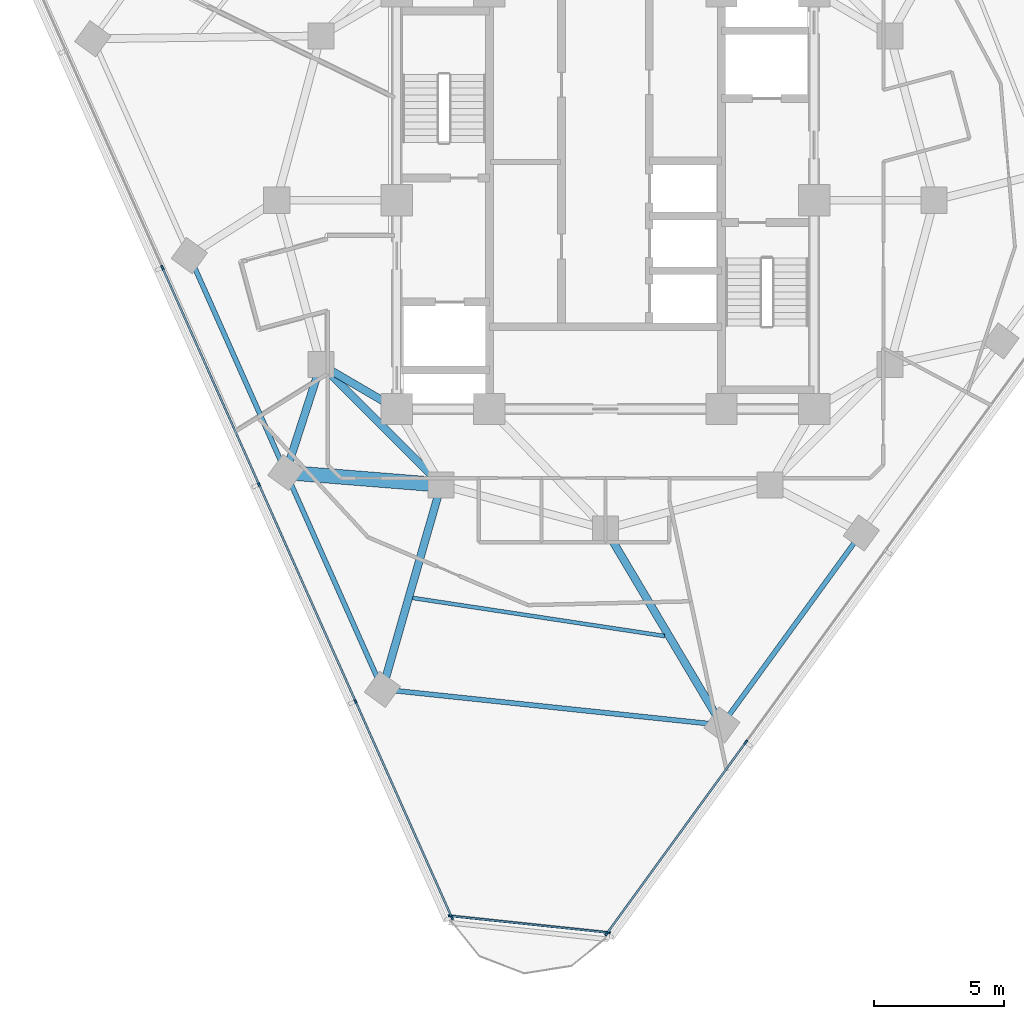
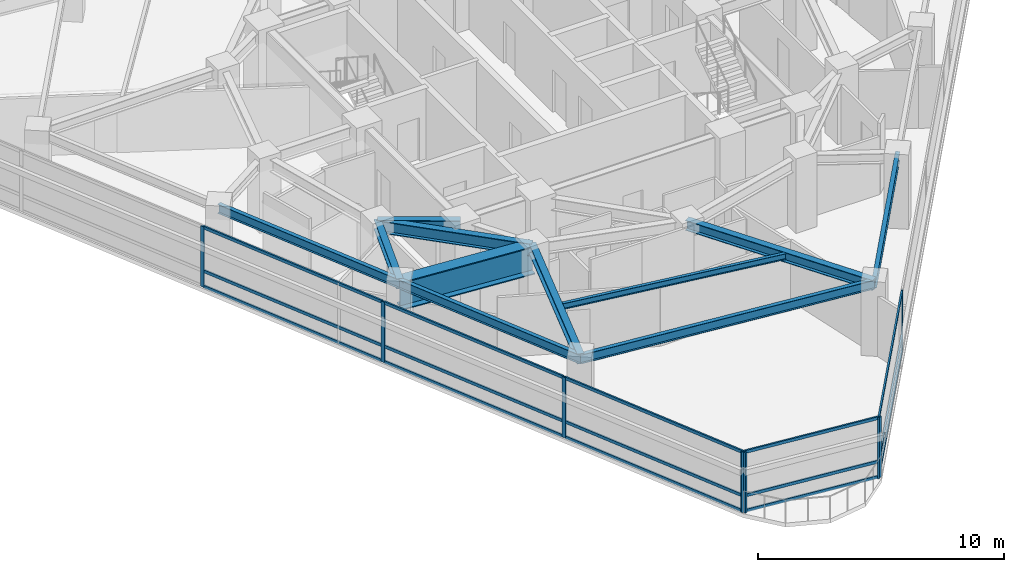
# One storey, part 2 of 14: 23 members, 11 beams, 3 elements without a shape of their own.
"""IFC4 building model written with IfcOpenShell, lengths in metres."""

import ifcopenshell
import ifcopenshell.guid

model = None  # the IFC model being written
_history = None  # IfcOwnerHistory: only IFC2X3 demands one
_inside = {}  # id of a spatial element -> (the spatial element, [elements in it])
_under = {}  # id of a project, library or spatial element -> (it, [spatial elements below it])
_declared = {}  # id of a project -> (the project, [libraries it declares])
_typed = {}  # id of a type object -> (the type object, [elements of that type])
_made_of = {}  # id of a material, layer set ... -> (it, [elements and type objects made of it])


def new_model(schema):
    """Start an empty IFC model of exactly this schema.

    Asked for "IFC4X3", IfcOpenShell would pick the latest addendum, in which some entities
    have other attributes; the version numbers below select the first issue.
    IFC2X3 requires an IfcOwnerHistory on every rooted entity: one is made here for all.
    """
    global model, _history
    if schema == "IFC4X3":
        model = ifcopenshell.file(schema_version=(4, 3, 0, 0))
    else:
        model = ifcopenshell.file(schema=schema)
    _inside.clear()
    _under.clear()
    _declared.clear()
    _typed.clear()
    _made_of.clear()
    _history = None
    if model.schema == "IFC2X3":
        org = make("IfcOrganization", Name="unknown")
        user = make(
            "IfcPersonAndOrganization",
            ThePerson=make("IfcPerson", FamilyName="unknown"),
            TheOrganization=org,
        )
        app = make(
            "IfcApplication",
            ApplicationDeveloper=org,
            Version="unknown",
            ApplicationFullName="unknown",
            ApplicationIdentifier="unknown",
        )
        _history = make(
            "IfcOwnerHistory",
            OwningUser=user,
            OwningApplication=app,
            ChangeAction="ADDED",
            CreationDate=0,
        )
    return model


def make(cls, **values):
    """One entity of the class cls with the attributes given. An attribute that is None is left unset."""
    return model.create_entity(
        cls, **{name: value for name, value in values.items() if value is not None}
    )


def rooted(cls, **values):
    """An entity with a GlobalId (a new one), such as an element, a storey or a relation."""
    return make(cls, GlobalId=ifcopenshell.guid.new(), OwnerHistory=_history, **values)


def si_unit(unit_type, name, prefix=None):
    """IfcSIUnit, for example si_unit("LENGTHUNIT", "METRE", prefix="MILLI")."""
    return make("IfcSIUnit", UnitType=unit_type, Prefix=prefix, Name=name)


def assignment(units):
    """IfcUnitAssignment: the units of a project."""
    return None if units is None else make("IfcUnitAssignment", Units=units)


def point(xyz):
    """IfcCartesianPoint."""
    return None if xyz is None else make("IfcCartesianPoint", Coordinates=xyz)


def direction(xyz):
    """IfcDirection."""
    return None if xyz is None else make("IfcDirection", DirectionRatios=xyz)


def frame(location, z_axis=None, x_axis=None):
    """IfcAxis2Placement3D, a coordinate frame: its origin and axes. An axis left out is left unset."""
    return make(
        "IfcAxis2Placement3D",
        Location=point(location),
        Axis=direction(z_axis),
        RefDirection=direction(x_axis),
    )


def frame_2d(location, x_axis=None):
    """IfcAxis2Placement2D, a coordinate frame in the plane: its origin and x axis."""
    return make(
        "IfcAxis2Placement2D", Location=point(location), RefDirection=direction(x_axis)
    )


def origin():
    """The frame at (0, 0, 0) with its axes left unset."""
    return frame((0.0, 0.0, 0.0))


def origin_2d():
    """The frame at (0, 0) in the plane with its x axis left unset."""
    return frame_2d((0.0, 0.0))


def place(relative_to, where):
    """IfcLocalPlacement: puts the frame where relative to a parent placement (None: the world)."""
    return make(
        "IfcLocalPlacement", PlacementRelTo=relative_to, RelativePlacement=where
    )


def context(
    kind, dimensions, precision=None, world=None, true_north=None, identifier=None
):
    """IfcGeometricRepresentationContext, for example the 3D "Model" context."""
    return make(
        "IfcGeometricRepresentationContext",
        ContextIdentifier=identifier,
        ContextType=kind,
        CoordinateSpaceDimension=dimensions,
        Precision=precision,
        WorldCoordinateSystem=world,
        TrueNorth=true_north,
    )


def subcontext(parent, identifier, kind, view, scale=None):
    """IfcGeometricRepresentationSubContext, for example "Body" below "Model"."""
    return make(
        "IfcGeometricRepresentationSubContext",
        ContextIdentifier=identifier,
        ContextType=kind,
        ParentContext=parent,
        TargetScale=scale,
        TargetView=view,
    )


def project(units=None, contexts=None):
    """IfcProject with its units and contexts."""
    return rooted(
        "IfcProject",
        Name="project",
        RepresentationContexts=contexts,
        UnitsInContext=assignment(units),
    )


def spatial(cls, under=None, at=None, **own):
    """A site, building, storey or space (cls), placed at a placement, below another one or the project."""
    s = rooted(cls, ObjectPlacement=at, **own)
    if under is not None:
        _under.setdefault(under.id(), (under, []))[1].append(s)
    return s


def profile(cls, at=None, kind="AREA", **sizes):
    """A parametric profile (cls). Its sizes go by their IFC names, for example OverallWidth=200.0."""
    return make(cls, ProfileType=kind, Position=at, **sizes)


def rectangle(**sizes):
    """IfcRectangleProfileDef."""
    return profile("IfcRectangleProfileDef", **sizes)


def i_section(**sizes):
    """IfcIShapeProfileDef."""
    return profile("IfcIShapeProfileDef", **sizes)


def extrude(swept, where, along, depth):
    """IfcExtrudedAreaSolid: the profile swept, set in the frame where, extruded along a direction by depth."""
    return make(
        "IfcExtrudedAreaSolid",
        SweptArea=swept,
        Position=where,
        ExtrudedDirection=direction(along),
        Depth=depth,
    )


def shape(context_of_items, identifier, shape_type, items):
    """IfcShapeRepresentation: the items that make up one representation, for example the "Body"."""
    return make(
        "IfcShapeRepresentation",
        ContextOfItems=context_of_items,
        RepresentationIdentifier=identifier,
        RepresentationType=shape_type,
        Items=items,
    )


def material(Name=None, Category=None):
    """IfcMaterial."""
    return make("IfcMaterial", Name=Name, Category=Category)


def layer(
    of_material, thickness, ventilated=None, Name=None, Category=None, Priority=None
):
    """IfcMaterialLayer: one layer of a wall or slab, of a material (None: an air gap)."""
    return make(
        "IfcMaterialLayer",
        Material=of_material,
        LayerThickness=thickness,
        IsVentilated=ventilated,
        Name=Name,
        Category=Category,
        Priority=Priority,
    )


def layer_set(layers, Name=None):
    """IfcMaterialLayerSet."""
    return make("IfcMaterialLayerSet", MaterialLayers=layers, LayerSetName=Name)


def material_profile(
    of_material, cross_section, Name=None, Category=None, Priority=None
):
    """IfcMaterialProfile: a cross section and its material."""
    return make(
        "IfcMaterialProfile",
        Name=Name,
        Material=of_material,
        Profile=cross_section,
        Priority=Priority,
        Category=Category,
    )


def profile_set(profiles, Name=None, composite=None):
    """IfcMaterialProfileSet."""
    return make(
        "IfcMaterialProfileSet",
        Name=Name,
        MaterialProfiles=profiles,
        CompositeProfile=composite,
    )


def made_of(thing, what):
    """Note that an element or type object is made of a material, layer set ...; save() writes the relation."""
    if what is not None:
        _made_of.setdefault(what.id(), (what, []))[1].append(thing)
    return thing


def type_object(cls, material=None, **own):
    """A type object (cls), such as IfcWallType, which elements share."""
    return made_of(rooted(cls, **own), material)


def element(
    cls,
    number,
    at=None,
    inside=None,
    cuts=None,
    type_object=None,
    material=None,
    context=None,
    identifier="Body",
    shape_type=None,
    held_by="IfcProductDefinitionShape",
    body=None,
    shapes=None,
    **own,
):
    """One element of the class cls, such as IfcWall. Its Tag is "e" and its number.

    at: its placement. inside: the storey or other place that contains it. cuts: it is an
    opening in that element (IfcRelVoidsElement). A single representation is given by context,
    identifier, shape_type and body (its items); several are given by shapes. held_by: the class
    of the entity that holds the representations. save() writes the other relations.
    """
    e = rooted(cls, Tag="e%d" % number, ObjectPlacement=at, **own)
    if body is not None:
        shapes = [shape(context, identifier, shape_type, body)]
    if shapes is not None:
        e.Representation = make(held_by, Representations=shapes)
    if inside is not None:
        _inside.setdefault(inside.id(), (inside, []))[1].append(e)
    if cuts is not None:
        rooted(
            "IfcRelVoidsElement", RelatingBuildingElement=cuts, RelatedOpeningElement=e
        )
    if type_object is not None:
        _typed.setdefault(type_object.id(), (type_object, []))[1].append(e)
    return made_of(e, material)


def aggregate(whole, parts):
    """IfcRelAggregates: a whole, such as a stair, and the parts it consists of."""
    return rooted("IfcRelAggregates", RelatingObject=whole, RelatedObjects=parts)


def save(model, path):
    """Write the relations noted so far, then the file.

    IfcRelAggregates (storeys below a building ...), IfcRelContainedInSpatialStructure (elements
    in a storey), IfcRelDefinesByType, IfcRelAssociatesMaterial and IfcRelDeclares: one each for
    every whole, place, type object, material and project.
    """
    for whole, parts in _under.values():
        aggregate(whole, parts)
    for where, things in _inside.values():
        rooted(
            "IfcRelContainedInSpatialStructure",
            RelatedElements=things,
            RelatingStructure=where,
        )
    for kind, things in _typed.values():
        rooted("IfcRelDefinesByType", RelatedObjects=things, RelatingType=kind)
    for what, things in _made_of.values():
        rooted("IfcRelAssociatesMaterial", RelatedObjects=things, RelatingMaterial=what)
    for by, libraries in _declared.values():
        rooted("IfcRelDeclares", RelatingContext=by, RelatedDefinitions=libraries)
    model.write(path)


model = new_model("IFC4")

# Units and contexts
model_context = context("Model", 3, precision=1e-05, world=origin(), true_north=direction((0.0, 1.0)))
body_context = subcontext(model_context, "Body", "Model", "MODEL_VIEW")
ifc_project = project(units=[si_unit("LENGTHUNIT", "METRE"), si_unit("AREAUNIT", "SQUARE_METRE"), si_unit("VOLUMEUNIT", "CUBIC_METRE"), si_unit("PLANEANGLEUNIT", "RADIAN"), si_unit("MASSUNIT", "GRAM", prefix="KILO")], contexts=[model_context])

# Site, building, storey
site_placement = place(None, origin())
site = spatial("IfcSite", under=ifc_project, at=site_placement, CompositionType="ELEMENT")
building_placement = place(site_placement, origin())
building = spatial("IfcBuilding", under=site, at=building_placement, Name="Terralouvre Media Tower", CompositionType="ELEMENT")
storey_placement = place(building_placement, frame((0.0, 0.0, 222.60009765625)))
storey = spatial("IfcBuildingStorey", under=building, at=storey_placement, Name="L57", CompositionType="ELEMENT", Elevation=222.60009765625)

# Beam
ifc_material_1 = material(Name="Structural steel S355J2", Category="steel")
ifc_material_profile_1 = material_profile(ifc_material_1, i_section(OverallWidth=0.14990234375, OverallDepth=0.300048828125, WebThickness=0.007080078125, FlangeThickness=0.0107421875, at=origin_2d()), Name="IPE 300")
ifc_profile_set_1 = profile_set([ifc_material_profile_1], Name="Structural steel S355J2")
beam_type_1 = type_object("IfcBeamType", Name="Composite Floor Joist J-IPE300 (IPE 300)", PredefinedType="JOIST", material=ifc_profile_set_1)
beam_1_placement = place(storey_placement, frame((-7.38818359375, -15.244140625, 3.349853515625), z_axis=(0.988745338641, -0.149608339726, 0.0), x_axis=(0.149608339726, 0.988745338641, 0.0)))
element("IfcBeam", 1, at=beam_1_placement, inside=storey, type_object=beam_type_1, Name="L57 Framing Beam JT-L57-01", PredefinedType="JOIST", context=body_context, shape_type="SweptSolid", body=[
    extrude(i_section(OverallWidth=0.14990234375, OverallDepth=0.300048828125, WebThickness=0.007080078125, FlangeThickness=0.0107421875, at=origin_2d()), origin(), (0.0, 0.0, 1.0), 9.763427734375),
])

# Curtain wall, members
ifc_material_2 = material(Name="Low-iron laminated double glazing with solar-control coating", Category="glass")
ifc_layer_1 = layer(ifc_material_2, 0.1650390625, Name="Upper Executive Tower Curtain Wall CW-05")
ifc_layer_set_1 = layer_set([ifc_layer_1], Name="Low-iron laminated double glazing with solar-control coating")
curtain_wall_type_1 = type_object("IfcCurtainWallType", Name="Upper Executive Tower Curtain Wall CW-05", PredefinedType="NOTDEFINED", material=ifc_layer_set_1)
curtain_wall_1_placement = place(storey_placement, origin())
curtain_wall_1 = element("IfcCurtainWall", 2, at=curtain_wall_1_placement, inside=storey, type_object=curtain_wall_type_1, Name="L57 Facade Curtain Wall F0", PredefinedType="NOTDEFINED")
ifc_material_3 = material(Name="Anodised extruded aluminium 6063-T6", Category="aluminium")
ifc_material_profile_2 = material_profile(ifc_material_3, rectangle(XDim=0.074951171875, YDim=0.14990234375, at=origin_2d()), Name="ALU 75x150")
ifc_profile_set_2 = profile_set([ifc_material_profile_2], Name="Anodised extruded aluminium 6063-T6")
member_type_1 = type_object("IfcMemberType", Name="Curtain-Wall Horizontal Transom TR-150", PredefinedType="USERDEFINED", material=ifc_profile_set_2)
member_1_placement = place(storey_placement, frame((0.072998046875, -28.0810546875, 0.037353515625), z_axis=(0.587774298355, 0.809024952763, 0.0), x_axis=(-0.809024952763, 0.587774298355, 0.0)))
member_1 = element("IfcMember", 3, at=member_1_placement, type_object=member_type_1, Name="CW-05 transom 1.1", ObjectType="TRANSOM", PredefinedType="USERDEFINED", context=body_context, shape_type="SweptSolid", body=[
    extrude(rectangle(XDim=0.074951171875, YDim=0.14990234375, at=origin_2d()), origin(), (0.0, 0.0, 1.0), 8.987548828125),
])
member_2_placement = place(storey_placement, frame((0.072998046875, -28.0810546875, 0.7998046875), z_axis=(0.587774298355, 0.809024952763, 0.0), x_axis=(-0.809024952763, 0.587774298355, 0.0)))
member_2 = element("IfcMember", 4, at=member_2_placement, type_object=member_type_1, Name="CW-05 transom 1.2", ObjectType="TRANSOM", PredefinedType="USERDEFINED", context=body_context, shape_type="SweptSolid", body=[
    extrude(rectangle(XDim=0.074951171875, YDim=0.14990234375, at=origin_2d()), origin(), (0.0, 0.0, 1.0), 8.987548828125),
])
member_3_placement = place(storey_placement, frame((0.072998046875, -28.0810546875, 2.96240234375), z_axis=(0.587774298355, 0.809024952763, 0.0), x_axis=(-0.809024952763, 0.587774298355, 0.0)))
member_3 = element("IfcMember", 5, at=member_3_placement, type_object=member_type_1, Name="CW-05 transom 1.3", ObjectType="TRANSOM", PredefinedType="USERDEFINED", context=body_context, shape_type="SweptSolid", body=[
    extrude(rectangle(XDim=0.074951171875, YDim=0.14990234375, at=origin_2d()), origin(), (0.0, 0.0, 1.0), 8.987548828125),
])

curtain_wall_2_placement = place(storey_placement, origin())
curtain_wall_2 = element("IfcCurtainWall", 6, at=curtain_wall_2_placement, inside=storey, type_object=curtain_wall_type_1, Name="L57 Facade Curtain Wall F2", PredefinedType="NOTDEFINED")
member_4_placement = place(storey_placement, frame((-16.968017578125, -2.614990234375, 0.037353515625), z_axis=(0.406740753437, -0.913543627581, 0.0), x_axis=(0.913543627581, 0.406740753437, 0.0)))
member_4 = element("IfcMember", 7, at=member_4_placement, type_object=member_type_1, Name="CW-05 transom 3.1", ObjectType="TRANSOM", PredefinedType="USERDEFINED", context=body_context, shape_type="SweptSolid", body=[
    extrude(rectangle(XDim=0.074951171875, YDim=0.14990234375, at=origin_2d()), origin(), (0.0, 0.0, 1.0), 9.025146484375),
])
member_5_placement = place(storey_placement, frame((-16.968017578125, -2.614990234375, 0.7998046875), z_axis=(0.406740753437, -0.913543627581, 0.0), x_axis=(0.913543627581, 0.406740753437, 0.0)))
member_5 = element("IfcMember", 8, at=member_5_placement, type_object=member_type_1, Name="CW-05 transom 3.2", ObjectType="TRANSOM", PredefinedType="USERDEFINED", context=body_context, shape_type="SweptSolid", body=[
    extrude(rectangle(XDim=0.074951171875, YDim=0.14990234375, at=origin_2d()), origin(), (0.0, 0.0, 1.0), 9.025146484375),
])
member_6_placement = place(storey_placement, frame((-16.968017578125, -2.614990234375, 2.96240234375), z_axis=(0.406740753437, -0.913543627581, 0.0), x_axis=(0.913543627581, 0.406740753437, 0.0)))
member_6 = element("IfcMember", 9, at=member_6_placement, type_object=member_type_1, Name="CW-05 transom 3.3", ObjectType="TRANSOM", PredefinedType="USERDEFINED", context=body_context, shape_type="SweptSolid", body=[
    extrude(rectangle(XDim=0.074951171875, YDim=0.14990234375, at=origin_2d()), origin(), (0.0, 0.0, 1.0), 9.025146484375),
])
member_7_placement = place(storey_placement, frame((-13.2666015625, -10.928466796875, 0.037353515625), z_axis=(0.406728228643, -0.913549203943, 0.0), x_axis=(0.913549203943, 0.406728228643, 0.0)))
member_7 = element("IfcMember", 10, at=member_7_placement, type_object=member_type_1, Name="CW-05 transom 4.1", ObjectType="TRANSOM", PredefinedType="USERDEFINED", context=body_context, shape_type="SweptSolid", body=[
    extrude(rectangle(XDim=0.074951171875, YDim=0.14990234375, at=origin_2d()), origin(), (0.0, 0.0, 1.0), 9.02490234375),
])
member_8_placement = place(storey_placement, frame((-13.2666015625, -10.928466796875, 0.7998046875), z_axis=(0.406728228643, -0.913549203943, 0.0), x_axis=(0.913549203943, 0.406728228643, 0.0)))
member_8 = element("IfcMember", 11, at=member_8_placement, type_object=member_type_1, Name="CW-05 transom 4.2", ObjectType="TRANSOM", PredefinedType="USERDEFINED", context=body_context, shape_type="SweptSolid", body=[
    extrude(rectangle(XDim=0.074951171875, YDim=0.14990234375, at=origin_2d()), origin(), (0.0, 0.0, 1.0), 9.02490234375),
])
member_9_placement = place(storey_placement, frame((-13.2666015625, -10.928466796875, 2.96240234375), z_axis=(0.406728228643, -0.913549203943, 0.0), x_axis=(0.913549203943, 0.406728228643, 0.0)))
member_9 = element("IfcMember", 12, at=member_9_placement, type_object=member_type_1, Name="CW-05 transom 4.3", ObjectType="TRANSOM", PredefinedType="USERDEFINED", context=body_context, shape_type="SweptSolid", body=[
    extrude(rectangle(XDim=0.074951171875, YDim=0.14990234375, at=origin_2d()), origin(), (0.0, 0.0, 1.0), 9.02490234375),
])
member_10_placement = place(storey_placement, frame((-9.5654296875, -19.24169921875, 0.037353515625), z_axis=(0.406735720677, -0.913545868321, 0.0), x_axis=(0.913545868321, 0.406735720677, 0.0)))
member_10 = element("IfcMember", 13, at=member_10_placement, type_object=member_type_1, Name="CW-05 transom 5.1", ObjectType="TRANSOM", PredefinedType="USERDEFINED", context=body_context, shape_type="SweptSolid", body=[
    extrude(rectangle(XDim=0.074951171875, YDim=0.14990234375, at=origin_2d()), origin(), (0.0, 0.0, 1.0), 8.987548828125),
])
member_11_placement = place(storey_placement, frame((-9.5654296875, -19.24169921875, 0.7998046875), z_axis=(0.406735720677, -0.913545868321, 0.0), x_axis=(0.913545868321, 0.406735720677, 0.0)))
member_11 = element("IfcMember", 14, at=member_11_placement, type_object=member_type_1, Name="CW-05 transom 5.2", ObjectType="TRANSOM", PredefinedType="USERDEFINED", context=body_context, shape_type="SweptSolid", body=[
    extrude(rectangle(XDim=0.074951171875, YDim=0.14990234375, at=origin_2d()), origin(), (0.0, 0.0, 1.0), 8.987548828125),
])
member_12_placement = place(storey_placement, frame((-9.5654296875, -19.24169921875, 2.96240234375), z_axis=(0.406735720677, -0.913545868321, 0.0), x_axis=(0.913545868321, 0.406735720677, 0.0)))
member_12 = element("IfcMember", 15, at=member_12_placement, type_object=member_type_1, Name="CW-05 transom 5.3", ObjectType="TRANSOM", PredefinedType="USERDEFINED", context=body_context, shape_type="SweptSolid", body=[
    extrude(rectangle(XDim=0.074951171875, YDim=0.14990234375, at=origin_2d()), origin(), (0.0, 0.0, 1.0), 8.987548828125),
])

ifc_material_4 = material(Name="Low-iron laminated double glazing with solar-control coating", Category="glass")
ifc_layer_2 = layer(ifc_material_4, 0.1650390625, Name="Rounded Wind-Corner Curved Glazing CW-04")
ifc_layer_set_2 = layer_set([ifc_layer_2], Name="Low-iron laminated double glazing with solar-control coating")
curtain_wall_type_2 = type_object("IfcCurtainWallType", Name="Rounded Wind-Corner Curved Glazing CW-04", PredefinedType="NOTDEFINED", material=ifc_layer_set_2)
curtain_wall_3_placement = place(storey_placement, origin())
curtain_wall_3 = element("IfcCurtainWall", 16, at=curtain_wall_3_placement, inside=storey, type_object=curtain_wall_type_2, Name="L57 Rounded Wind-Corner Curtain Wall C0", PredefinedType="NOTDEFINED")
member_13_placement = place(storey_placement, frame((-5.899658203125, -27.43798828125, 0.037353515625), z_axis=(0.994519048003, -0.104555550594, 0.0), x_axis=(0.104555550594, 0.994519048003, 0.0)))
member_13 = element("IfcMember", 17, at=member_13_placement, type_object=member_type_1, Name="CW-04 transom 1.1", ObjectType="TRANSOM", PredefinedType="USERDEFINED", context=body_context, shape_type="SweptSolid", body=[
    extrude(rectangle(XDim=0.074951171875, YDim=0.14990234375, at=origin_2d()), origin(), (0.0, 0.0, 1.0), 5.998779296875),
])
member_14_placement = place(storey_placement, frame((-5.899658203125, -27.43798828125, 0.7998046875), z_axis=(0.994519048003, -0.104555550594, 0.0), x_axis=(0.104555550594, 0.994519048003, 0.0)))
member_14 = element("IfcMember", 18, at=member_14_placement, type_object=member_type_1, Name="CW-04 transom 1.2", ObjectType="TRANSOM", PredefinedType="USERDEFINED", context=body_context, shape_type="SweptSolid", body=[
    extrude(rectangle(XDim=0.074951171875, YDim=0.14990234375, at=origin_2d()), origin(), (0.0, 0.0, 1.0), 5.998779296875),
])
member_15_placement = place(storey_placement, frame((-5.899658203125, -27.43798828125, 2.96240234375), z_axis=(0.994519048003, -0.104555550594, 0.0), x_axis=(0.104555550594, 0.994519048003, 0.0)))
member_15 = element("IfcMember", 19, at=member_15_placement, type_object=member_type_1, Name="CW-04 transom 1.3", ObjectType="TRANSOM", PredefinedType="USERDEFINED", context=body_context, shape_type="SweptSolid", body=[
    extrude(rectangle(XDim=0.074951171875, YDim=0.14990234375, at=origin_2d()), origin(), (0.0, 0.0, 1.0), 5.998779296875),
])

# Member
ifc_material_5 = material(Name="Anodised extruded aluminium 6063-T6", Category="aluminium")
ifc_material_profile_3 = material_profile(ifc_material_5, rectangle(XDim=0.074951171875, YDim=0.179931640625, at=origin_2d()), Name="ALU 75x180")
ifc_profile_set_3 = profile_set([ifc_material_profile_3], Name="Anodised extruded aluminium 6063-T6")
member_type_2 = type_object("IfcMemberType", Name="Curtain-Wall Vertical Mullion ML-180", PredefinedType="MULLION", material=ifc_profile_set_3)
member_16_placement = place(storey_placement, frame((0.051025390625, -28.111328125, 0.0), z_axis=(0.0, 0.0, 1.0), x_axis=(-0.809016959074, 0.587785300879, 0.0)))
member_16 = element("IfcMember", 20, at=member_16_placement, type_object=member_type_2, Name="CW-05 mullion 1", PredefinedType="MULLION", context=body_context, shape_type="SweptSolid", body=[
    extrude(rectangle(XDim=0.074951171875, YDim=0.179931640625, at=origin_2d()), origin(), (0.0, 0.0, 1.0), 3.0),
])

member_17_placement = place(storey_placement, frame((5.3779296875, -20.779541015625, 0.0), z_axis=(0.0, 0.0, 1.0), x_axis=(-0.809016959074, 0.587785300879, 0.0)))
member_17 = element("IfcMember", 21, at=member_17_placement, type_object=member_type_2, Name="CW-05 mullion 2", PredefinedType="MULLION", context=body_context, shape_type="SweptSolid", body=[
    extrude(rectangle(XDim=0.074951171875, YDim=0.179931640625, at=origin_2d()), origin(), (0.0, 0.0, 1.0), 3.0),
])

aggregate(curtain_wall_1, [member_16, member_17, member_1, member_2, member_3])

member_18_placement = place(storey_placement, frame((-16.983154296875, -2.580810546875, 0.0), z_axis=(0.0, 0.0, 1.0), x_axis=(0.913545441365, 0.406736679636, 0.0)))
member_18 = element("IfcMember", 22, at=member_18_placement, type_object=member_type_2, Name="CW-05 mullion 3", PredefinedType="MULLION", context=body_context, shape_type="SweptSolid", body=[
    extrude(rectangle(XDim=0.074951171875, YDim=0.179931640625, at=origin_2d()), origin(), (0.0, 0.0, 1.0), 3.0),
])

member_19_placement = place(storey_placement, frame((-13.281982421875, -10.89404296875, 0.0), z_axis=(0.0, 0.0, 1.0), x_axis=(0.913545441365, 0.406736679636, 0.0)))
member_19 = element("IfcMember", 23, at=member_19_placement, type_object=member_type_2, Name="CW-05 mullion 4", PredefinedType="MULLION", context=body_context, shape_type="SweptSolid", body=[
    extrude(rectangle(XDim=0.074951171875, YDim=0.179931640625, at=origin_2d()), origin(), (0.0, 0.0, 1.0), 3.0),
])

member_20_placement = place(storey_placement, frame((-9.58056640625, -19.207275390625, 0.0), z_axis=(0.0, 0.0, 1.0), x_axis=(0.913545441365, 0.406736679636, 0.0)))
member_20 = element("IfcMember", 24, at=member_20_placement, type_object=member_type_2, Name="CW-05 mullion 5", PredefinedType="MULLION", context=body_context, shape_type="SweptSolid", body=[
    extrude(rectangle(XDim=0.074951171875, YDim=0.179931640625, at=origin_2d()), origin(), (0.0, 0.0, 1.0), 3.0),
])

member_21_placement = place(storey_placement, frame((-5.89453125, -27.486328125, 0.0), z_axis=(0.0, 0.0, 1.0), x_axis=(0.913545441365, 0.406736679636, 0.0)))
member_21 = element("IfcMember", 25, at=member_21_placement, type_object=member_type_2, Name="CW-05 mullion 6", PredefinedType="MULLION", context=body_context, shape_type="SweptSolid", body=[
    extrude(rectangle(XDim=0.074951171875, YDim=0.179931640625, at=origin_2d()), origin(), (0.0, 0.0, 1.0), 3.0),
])

aggregate(curtain_wall_2, [member_18, member_19, member_20, member_21, member_4, member_5, member_6, member_7, member_8, member_9, member_10, member_11, member_12])

member_22_placement = place(storey_placement, frame((-5.93701171875, -27.43408203125, 0.0), z_axis=(0.0, 0.0, 1.0), x_axis=(0.104527995322, 0.994521944551, 0.0)))
member_22 = element("IfcMember", 26, at=member_22_placement, type_object=member_type_2, Name="CW-04 mullion 1", PredefinedType="MULLION", context=body_context, shape_type="SweptSolid", body=[
    extrude(rectangle(XDim=0.074951171875, YDim=0.179931640625, at=origin_2d()), origin(), (0.0, 0.0, 1.0), 3.0),
])

member_23_placement = place(storey_placement, frame((0.103515625, -28.069091796875, 0.0), z_axis=(0.0, 0.0, 1.0), x_axis=(0.104527995322, 0.994521944551, 0.0)))
member_23 = element("IfcMember", 27, at=member_23_placement, type_object=member_type_2, Name="CW-04 mullion 2", PredefinedType="MULLION", context=body_context, shape_type="SweptSolid", body=[
    extrude(rectangle(XDim=0.074951171875, YDim=0.179931640625, at=origin_2d()), origin(), (0.0, 0.0, 1.0), 3.0),
])

aggregate(curtain_wall_3, [member_22, member_23, member_13, member_14, member_15])

# Beams
ifc_material_6 = material(Name="Structural steel S355J2", Category="steel")
ifc_material_profile_4 = material_profile(ifc_material_6, i_section(OverallWidth=0.18994140625, OverallDepth=0.449951171875, WebThickness=0.009521484375, FlangeThickness=0.0146484375, at=origin_2d()), Name="IPE 450")
ifc_profile_set_4 = profile_set([ifc_material_profile_4], Name="Structural steel S355J2")
beam_type_2 = type_object("IfcBeamType", Name="Perimeter Spandrel Beam SPB-450 (IPE 450)", PredefinedType="SPANDREL", material=ifc_profile_set_4)
beam_2_placement = place(storey_placement, frame((-15.950927734375, -2.121337890625, 3.264892578125), z_axis=(0.406725851667, -0.913550262211, 0.0), x_axis=(0.913550262211, 0.406725851667, 0.0)))
element("IfcBeam", 28, at=beam_2_placement, inside=storey, type_object=beam_type_2, Name="L57 Framing Beam BM-L57-PR01", PredefinedType="SPANDREL", context=body_context, shape_type="SweptSolid", body=[
    extrude(i_section(OverallWidth=0.18994140625, OverallDepth=0.449951171875, WebThickness=0.009521484375, FlangeThickness=0.0146484375, at=origin_2d()), origin(), (0.0, 0.0, 1.0), 9.099853515625),
])
beam_3_placement = place(storey_placement, frame((-12.249755859375, -10.4345703125, 3.264892578125), z_axis=(0.40674824199, -0.913540293385, 0.0), x_axis=(0.913540293385, 0.40674824199, 0.0)))
element("IfcBeam", 29, at=beam_3_placement, inside=storey, type_object=beam_type_2, Name="L57 Framing Beam BM-L57-PR02", PredefinedType="SPANDREL", context=body_context, shape_type="SweptSolid", body=[
    extrude(i_section(OverallWidth=0.18994140625, OverallDepth=0.449951171875, WebThickness=0.009521484375, FlangeThickness=0.0146484375, at=origin_2d()), origin(), (0.0, 0.0, 1.0), 9.10009765625),
])
beam_4_placement = place(storey_placement, frame((-8.54833984375, -18.747802734375, 3.27490234375), z_axis=(0.994521391833, -0.104533253974, 0.0), x_axis=(0.104533253974, 0.994521391833, 0.0)))
element("IfcBeam", 30, at=beam_4_placement, inside=storey, type_object=beam_type_2, Name="L57 Framing Beam BM-L57-PR03", PredefinedType="SPANDREL", context=body_context, shape_type="SweptSolid", body=[
    extrude(i_section(OverallWidth=0.18994140625, OverallDepth=0.449951171875, WebThickness=0.009521484375, FlangeThickness=0.0146484375, at=origin_2d()), origin(), (0.0, 0.0, 1.0), 13.083740234375),
])
beam_5_placement = place(storey_placement, frame((4.463623046875, -20.115478515625, 3.27490234375), z_axis=(0.587787185033, 0.809015590153, 0.0), x_axis=(-0.809015590153, 0.587787185033, 0.0)))
element("IfcBeam", 31, at=beam_5_placement, inside=storey, type_object=beam_type_2, Name="L57 Framing Beam BM-L57-PR04", PredefinedType="SPANDREL", context=body_context, shape_type="SweptSolid", body=[
    extrude(i_section(OverallWidth=0.18994140625, OverallDepth=0.449951171875, WebThickness=0.009521484375, FlangeThickness=0.0146484375, at=origin_2d()), origin(), (0.0, 0.0, 1.0), 9.10009765625),
])
ifc_material_7 = material(Name="Structural steel S355J2", Category="steel")
ifc_material_profile_5 = material_profile(ifc_material_7, i_section(OverallWidth=0.300048828125, OverallDepth=0.5, WebThickness=0.014404296875, FlangeThickness=0.028076171875, at=origin_2d()), Name="HEB 500")
ifc_profile_set_5 = profile_set([ifc_material_profile_5], Name="Structural steel S355J2")
beam_type_3 = type_object("IfcBeamType", Name="Primary Floor Girder B-HEB500 (HEB 500)", PredefinedType="BEAM", material=ifc_profile_set_5)
beam_6_placement = place(storey_placement, frame((-10.911865234375, -6.300048828125, 3.239990234375), z_axis=(-0.307872638555, -0.951427579183, 0.0), x_axis=(0.951427579183, -0.307872638555, 0.0)))
element("IfcBeam", 32, at=beam_6_placement, inside=storey, type_object=beam_type_3, Name="L57 Framing Beam BM-L57-RD02", PredefinedType="BEAM", context=body_context, shape_type="SweptSolid", body=[
    extrude(i_section(OverallWidth=0.300048828125, OverallDepth=0.5, WebThickness=0.014404296875, FlangeThickness=0.028076171875, at=origin_2d()), origin(), (0.0, 0.0, 1.0), 4.345703125),
])
beam_7_placement = place(storey_placement, frame((-6.300048828125, -10.911865234375, 3.25), z_axis=(-0.275792876342, -0.96121708753, 0.0), x_axis=(0.96121708753, -0.275792876342, 0.0)))
element("IfcBeam", 33, at=beam_7_placement, inside=storey, type_object=beam_type_3, Name="L57 Framing Beam BM-L57-RD03", PredefinedType="BEAM", context=body_context, shape_type="SweptSolid", body=[
    extrude(i_section(OverallWidth=0.300048828125, OverallDepth=0.5, WebThickness=0.014404296875, FlangeThickness=0.028076171875, at=origin_2d()), origin(), (0.0, 0.0, 1.0), 8.152099609375),
])
beam_8_placement = place(storey_placement, frame((0.0, -12.60009765625, 3.25), z_axis=(0.510654263047, -0.859786149942, 0.0), x_axis=(0.859786149942, 0.510654263047, 0.0)))
element("IfcBeam", 34, at=beam_8_placement, inside=storey, type_object=beam_type_3, Name="L57 Framing Beam BM-L57-RD04", PredefinedType="BEAM", context=body_context, shape_type="SweptSolid", body=[
    extrude(i_section(OverallWidth=0.300048828125, OverallDepth=0.5, WebThickness=0.014404296875, FlangeThickness=0.028076171875, at=origin_2d()), origin(), (0.0, 0.0, 1.0), 8.740966796875),
])
ifc_material_8 = material(Name="Structural steel S460M", Category="steel")
ifc_material_profile_6 = material_profile(ifc_material_8, i_section(OverallWidth=0.300048828125, OverallDepth=0.60009765625, WebThickness=0.015380859375, FlangeThickness=0.030029296875, at=origin_2d()), Name="HEB 600")
ifc_profile_set_6 = profile_set([ifc_material_profile_6], Name="Structural steel S460M")
beam_type_4 = type_object("IfcBeamType", Name="Primary Floor Girder B-HEB600 (HEB 600)", PredefinedType="BEAM", material=ifc_profile_set_6)
beam_9_placement = place(storey_placement, frame((-10.911865234375, -6.300048828125, 3.199951171875), z_axis=(0.707106781187, -0.707106781187, 0.0), x_axis=(0.707106781187, 0.707106781187, 0.0)))
element("IfcBeam", 35, at=beam_9_placement, inside=storey, type_object=beam_type_4, Name="L57 Framing Beam BM-L57-MR01", PredefinedType="BEAM", context=body_context, shape_type="SweptSolid", body=[
    extrude(i_section(OverallWidth=0.300048828125, OverallDepth=0.60009765625, WebThickness=0.015380859375, FlangeThickness=0.030029296875, at=origin_2d()), origin(), (0.0, 0.0, 1.0), 6.52197265625),
])
beam_10_placement = place(storey_placement, frame((-8.0, -8.0, 3.199951171875), z_axis=(-0.863602894532, 0.504172629717, 0.0), x_axis=(-0.504172629717, -0.863602894532, 0.0)))
element("IfcBeam", 36, at=beam_10_placement, inside=storey, type_object=beam_type_4, Name="L57 Framing Beam BM-L57-CM01", PredefinedType="BEAM", context=body_context, shape_type="SweptSolid", body=[
    extrude(i_section(OverallWidth=0.300048828125, OverallDepth=0.60009765625, WebThickness=0.015380859375, FlangeThickness=0.030029296875, at=origin_2d()), origin(), (0.0, 0.0, 1.0), 3.371826171875),
])
ifc_material_9 = material(Name="Structural steel S460M", Category="steel")
ifc_material_profile_7 = material_profile(ifc_material_9, i_section(OverallWidth=0.56005859375, OverallDepth=1.39990234375, WebThickness=0.031982421875, FlangeThickness=0.050048828125, at=origin_2d()), Name="TG 1400x560")
ifc_profile_set_7 = profile_set([ifc_material_profile_7], Name="Structural steel S460M")
beam_type_5 = type_object("IfcBeamType", Name="Welded Transfer Girder TG-1400 (TG 1400x560)", PredefinedType="USERDEFINED", material=ifc_profile_set_7)
beam_11_placement = place(storey_placement, frame((-6.300048828125, -10.911865234375, 2.789794921875), z_axis=(-0.996797696797, 0.07996469008, 0.0), x_axis=(-0.07996469008, -0.996797696797, 0.0)))
element("IfcBeam", 37, at=beam_11_placement, inside=storey, type_object=beam_type_5, Name="L57 Framing Beam BM-L57-SG03", ObjectType="TRANSFER GIRDER", PredefinedType="USERDEFINED", context=body_context, shape_type="SweptSolid", body=[
    extrude(i_section(OverallWidth=0.56005859375, OverallDepth=1.39990234375, WebThickness=0.031982421875, FlangeThickness=0.050048828125, at=origin_2d()), origin(), (0.0, 0.0, 1.0), 5.96875),
])

save(model, "model.ifc")
